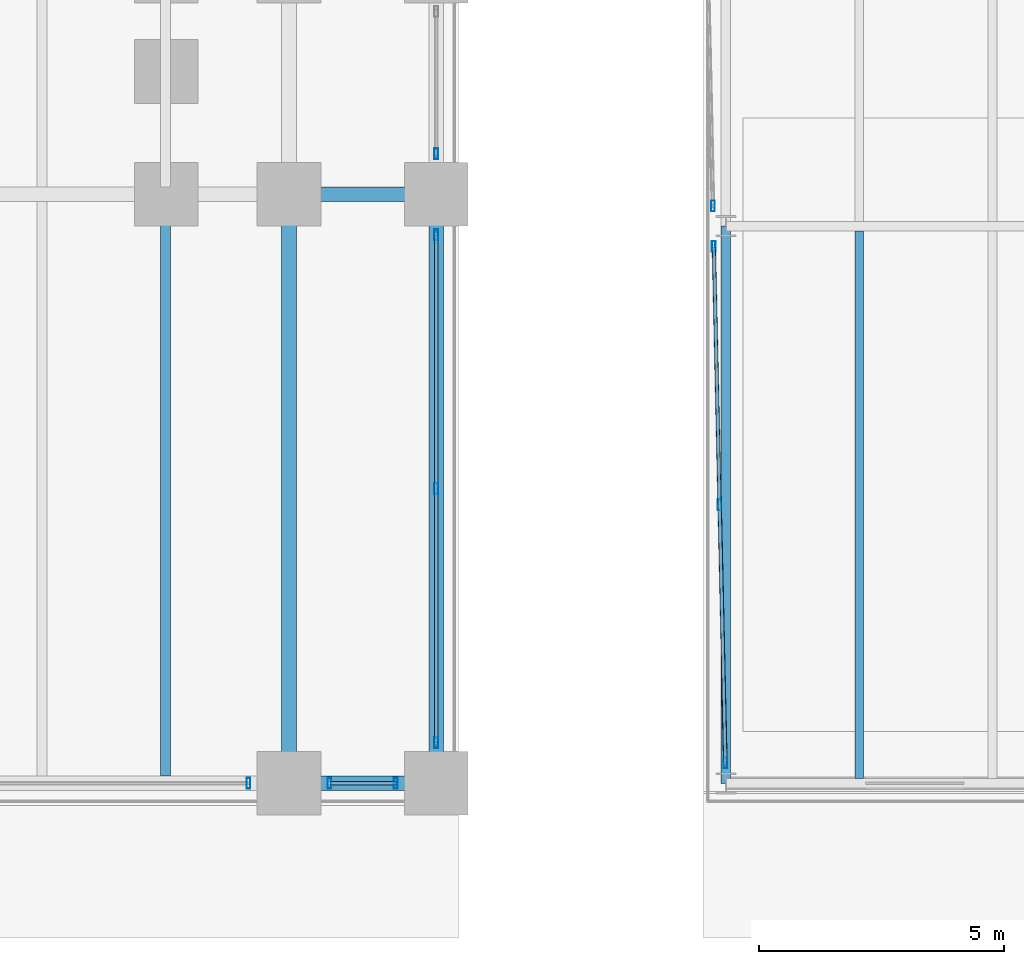
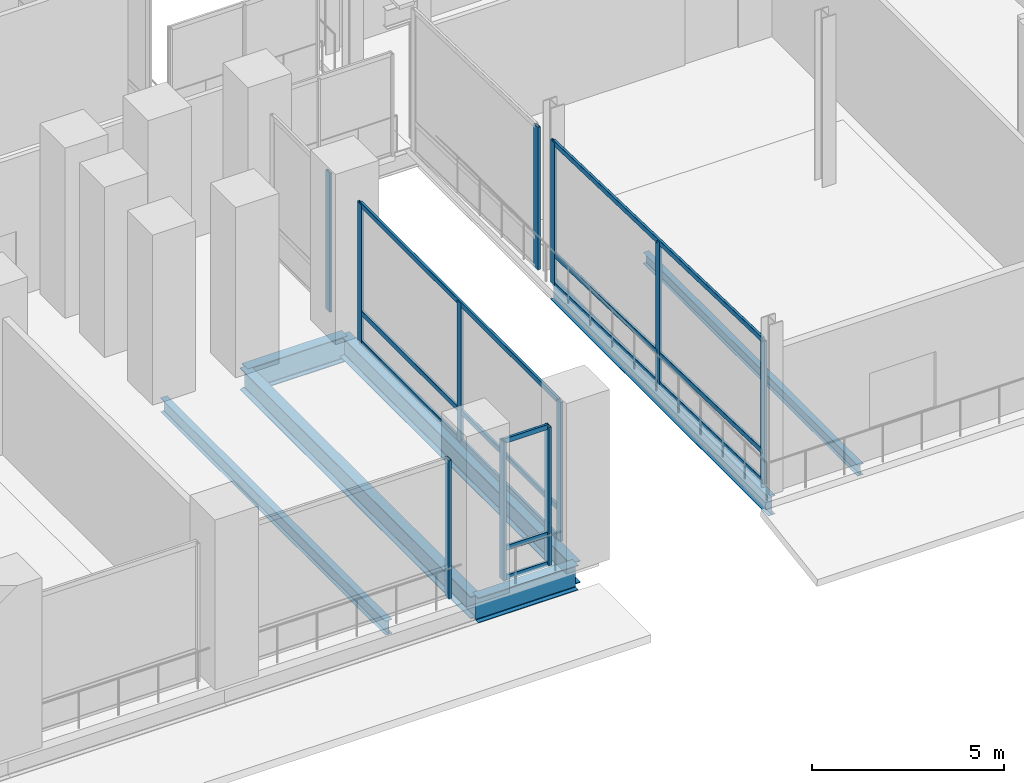
# One storey, part 10 of 32: 20 members, 7 beams, 6 elements without a shape of their own.
"""IFC4 building model written with IfcOpenShell, lengths in metres."""

import ifcopenshell
import ifcopenshell.guid

model = None  # the IFC model being written
_history = None  # IfcOwnerHistory: only IFC2X3 demands one
_inside = {}  # id of a spatial element -> (the spatial element, [elements in it])
_under = {}  # id of a project, library or spatial element -> (it, [spatial elements below it])
_declared = {}  # id of a project -> (the project, [libraries it declares])
_typed = {}  # id of a type object -> (the type object, [elements of that type])
_made_of = {}  # id of a material, layer set ... -> (it, [elements and type objects made of it])


def new_model(schema):
    """Start an empty IFC model of exactly this schema.

    Asked for "IFC4X3", IfcOpenShell would pick the latest addendum, in which some entities
    have other attributes; the version numbers below select the first issue.
    IFC2X3 requires an IfcOwnerHistory on every rooted entity: one is made here for all.
    """
    global model, _history
    if schema == "IFC4X3":
        model = ifcopenshell.file(schema_version=(4, 3, 0, 0))
    else:
        model = ifcopenshell.file(schema=schema)
    _inside.clear()
    _under.clear()
    _declared.clear()
    _typed.clear()
    _made_of.clear()
    _history = None
    if model.schema == "IFC2X3":
        org = make("IfcOrganization", Name="unknown")
        user = make(
            "IfcPersonAndOrganization",
            ThePerson=make("IfcPerson", FamilyName="unknown"),
            TheOrganization=org,
        )
        app = make(
            "IfcApplication",
            ApplicationDeveloper=org,
            Version="unknown",
            ApplicationFullName="unknown",
            ApplicationIdentifier="unknown",
        )
        _history = make(
            "IfcOwnerHistory",
            OwningUser=user,
            OwningApplication=app,
            ChangeAction="ADDED",
            CreationDate=0,
        )
    return model


def make(cls, **values):
    """One entity of the class cls with the attributes given. An attribute that is None is left unset."""
    return model.create_entity(
        cls, **{name: value for name, value in values.items() if value is not None}
    )


def rooted(cls, **values):
    """An entity with a GlobalId (a new one), such as an element, a storey or a relation."""
    return make(cls, GlobalId=ifcopenshell.guid.new(), OwnerHistory=_history, **values)


def si_unit(unit_type, name, prefix=None):
    """IfcSIUnit, for example si_unit("LENGTHUNIT", "METRE", prefix="MILLI")."""
    return make("IfcSIUnit", UnitType=unit_type, Prefix=prefix, Name=name)


def assignment(units):
    """IfcUnitAssignment: the units of a project."""
    return None if units is None else make("IfcUnitAssignment", Units=units)


def point(xyz):
    """IfcCartesianPoint."""
    return None if xyz is None else make("IfcCartesianPoint", Coordinates=xyz)


def direction(xyz):
    """IfcDirection."""
    return None if xyz is None else make("IfcDirection", DirectionRatios=xyz)


def frame(location, z_axis=None, x_axis=None):
    """IfcAxis2Placement3D, a coordinate frame: its origin and axes. An axis left out is left unset."""
    return make(
        "IfcAxis2Placement3D",
        Location=point(location),
        Axis=direction(z_axis),
        RefDirection=direction(x_axis),
    )


def frame_2d(location, x_axis=None):
    """IfcAxis2Placement2D, a coordinate frame in the plane: its origin and x axis."""
    return make(
        "IfcAxis2Placement2D", Location=point(location), RefDirection=direction(x_axis)
    )


def origin():
    """The frame at (0, 0, 0) with its axes left unset."""
    return frame((0.0, 0.0, 0.0))


def origin_2d():
    """The frame at (0, 0) in the plane with its x axis left unset."""
    return frame_2d((0.0, 0.0))


def place(relative_to, where):
    """IfcLocalPlacement: puts the frame where relative to a parent placement (None: the world)."""
    return make(
        "IfcLocalPlacement", PlacementRelTo=relative_to, RelativePlacement=where
    )


def context(
    kind, dimensions, precision=None, world=None, true_north=None, identifier=None
):
    """IfcGeometricRepresentationContext, for example the 3D "Model" context."""
    return make(
        "IfcGeometricRepresentationContext",
        ContextIdentifier=identifier,
        ContextType=kind,
        CoordinateSpaceDimension=dimensions,
        Precision=precision,
        WorldCoordinateSystem=world,
        TrueNorth=true_north,
    )


def subcontext(parent, identifier, kind, view, scale=None):
    """IfcGeometricRepresentationSubContext, for example "Body" below "Model"."""
    return make(
        "IfcGeometricRepresentationSubContext",
        ContextIdentifier=identifier,
        ContextType=kind,
        ParentContext=parent,
        TargetScale=scale,
        TargetView=view,
    )


def project(units=None, contexts=None):
    """IfcProject with its units and contexts."""
    return rooted(
        "IfcProject",
        Name="project",
        RepresentationContexts=contexts,
        UnitsInContext=assignment(units),
    )


def spatial(cls, under=None, at=None, **own):
    """A site, building, storey or space (cls), placed at a placement, below another one or the project."""
    s = rooted(cls, ObjectPlacement=at, **own)
    if under is not None:
        _under.setdefault(under.id(), (under, []))[1].append(s)
    return s


def profile(cls, at=None, kind="AREA", **sizes):
    """A parametric profile (cls). Its sizes go by their IFC names, for example OverallWidth=200.0."""
    return make(cls, ProfileType=kind, Position=at, **sizes)


def hollow_rectangle(**sizes):
    """IfcRectangleHollowProfileDef."""
    return profile("IfcRectangleHollowProfileDef", **sizes)


def i_section(**sizes):
    """IfcIShapeProfileDef."""
    return profile("IfcIShapeProfileDef", **sizes)


def extrude(swept, where, along, depth):
    """IfcExtrudedAreaSolid: the profile swept, set in the frame where, extruded along a direction by depth."""
    return make(
        "IfcExtrudedAreaSolid",
        SweptArea=swept,
        Position=where,
        ExtrudedDirection=direction(along),
        Depth=depth,
    )


def shape(context_of_items, identifier, shape_type, items):
    """IfcShapeRepresentation: the items that make up one representation, for example the "Body"."""
    return make(
        "IfcShapeRepresentation",
        ContextOfItems=context_of_items,
        RepresentationIdentifier=identifier,
        RepresentationType=shape_type,
        Items=items,
    )


def material(Name=None, Category=None):
    """IfcMaterial."""
    return make("IfcMaterial", Name=Name, Category=Category)


def material_profile(
    of_material, cross_section, Name=None, Category=None, Priority=None
):
    """IfcMaterialProfile: a cross section and its material."""
    return make(
        "IfcMaterialProfile",
        Name=Name,
        Material=of_material,
        Profile=cross_section,
        Priority=Priority,
        Category=Category,
    )


def profile_set(profiles, Name=None, composite=None):
    """IfcMaterialProfileSet."""
    return make(
        "IfcMaterialProfileSet",
        Name=Name,
        MaterialProfiles=profiles,
        CompositeProfile=composite,
    )


def made_of(thing, what):
    """Note that an element or type object is made of a material, layer set ...; save() writes the relation."""
    if what is not None:
        _made_of.setdefault(what.id(), (what, []))[1].append(thing)
    return thing


def type_object(cls, material=None, **own):
    """A type object (cls), such as IfcWallType, which elements share."""
    return made_of(rooted(cls, **own), material)


def element(
    cls,
    number,
    at=None,
    inside=None,
    cuts=None,
    type_object=None,
    material=None,
    context=None,
    identifier="Body",
    shape_type=None,
    held_by="IfcProductDefinitionShape",
    body=None,
    shapes=None,
    **own,
):
    """One element of the class cls, such as IfcWall. Its Tag is "e" and its number.

    at: its placement. inside: the storey or other place that contains it. cuts: it is an
    opening in that element (IfcRelVoidsElement). A single representation is given by context,
    identifier, shape_type and body (its items); several are given by shapes. held_by: the class
    of the entity that holds the representations. save() writes the other relations.
    """
    e = rooted(cls, Tag="e%d" % number, ObjectPlacement=at, **own)
    if body is not None:
        shapes = [shape(context, identifier, shape_type, body)]
    if shapes is not None:
        e.Representation = make(held_by, Representations=shapes)
    if inside is not None:
        _inside.setdefault(inside.id(), (inside, []))[1].append(e)
    if cuts is not None:
        rooted(
            "IfcRelVoidsElement", RelatingBuildingElement=cuts, RelatedOpeningElement=e
        )
    if type_object is not None:
        _typed.setdefault(type_object.id(), (type_object, []))[1].append(e)
    return made_of(e, material)


def aggregate(whole, parts):
    """IfcRelAggregates: a whole, such as a stair, and the parts it consists of."""
    return rooted("IfcRelAggregates", RelatingObject=whole, RelatedObjects=parts)


def save(model, path):
    """Write the relations noted so far, then the file.

    IfcRelAggregates (storeys below a building ...), IfcRelContainedInSpatialStructure (elements
    in a storey), IfcRelDefinesByType, IfcRelAssociatesMaterial and IfcRelDeclares: one each for
    every whole, place, type object, material and project.
    """
    for whole, parts in _under.values():
        aggregate(whole, parts)
    for where, things in _inside.values():
        rooted(
            "IfcRelContainedInSpatialStructure",
            RelatedElements=things,
            RelatingStructure=where,
        )
    for kind, things in _typed.values():
        rooted("IfcRelDefinesByType", RelatedObjects=things, RelatingType=kind)
    for what, things in _made_of.values():
        rooted("IfcRelAssociatesMaterial", RelatedObjects=things, RelatingMaterial=what)
    for by, libraries in _declared.values():
        rooted("IfcRelDeclares", RelatingContext=by, RelatedDefinitions=libraries)
    model.write(path)


model = new_model("IFC4")

# Units and contexts
model_context = context("Model", 3, precision=1e-05, world=origin(), true_north=direction((0.0, 1.0)))
body_context = subcontext(model_context, "Body", "Model", "MODEL_VIEW")
ifc_project = project(units=[si_unit("LENGTHUNIT", "METRE"), si_unit("AREAUNIT", "SQUARE_METRE"), si_unit("VOLUMEUNIT", "CUBIC_METRE"), si_unit("PLANEANGLEUNIT", "RADIAN"), si_unit("MASSUNIT", "GRAM", prefix="KILO")], contexts=[model_context])

# Site, building, storey
site_placement = place(None, origin())
site = spatial("IfcSite", under=ifc_project, at=site_placement, CompositionType="ELEMENT")
building_placement = place(site_placement, origin())
building = spatial("IfcBuilding", under=site, at=building_placement, Name="Noeulbin Bourse Tower", CompositionType="ELEMENT")
storey_placement = place(building_placement, frame((0.0, 0.0, 5.800048828125)))
storey = spatial("IfcBuildingStorey", under=building, at=storey_placement, Name="L02", CompositionType="ELEMENT", Elevation=5.800048828125)

# Beams
ifc_material_1 = material(Name="Steel S355", Category="steel")
ifc_material_profile_1 = material_profile(ifc_material_1, i_section(OverallWidth=0.199951171875, OverallDepth=0.60009765625, WebThickness=0.010986328125, FlangeThickness=0.01708984375, FilletRadius=0.02197265625, at=origin_2d()), Name="H-600x200x11x17", Category="LoadBearing")
ifc_profile_set_1 = profile_set([ifc_material_profile_1], Name="Steel S355")
beam_type_1 = type_object("IfcBeamType", Name="BM-GRD-600", PredefinedType="USERDEFINED", material=ifc_profile_set_1)
beam_1_placement = place(storey_placement, frame((60.449951171875, 3.449951171875, -0.52001953125), z_axis=(0.0, 1.0, 0.0), x_axis=(-1.0, 0.0, 0.0)))
element("IfcBeam", 1, at=beam_1_placement, inside=storey, type_object=beam_type_1, Name="Market Hall Girder NS L02-11", ObjectType="GIRDER", PredefinedType="USERDEFINED", context=body_context, shape_type="SweptSolid", body=[
    extrude(i_section(OverallWidth=0.199951171875, OverallDepth=0.60009765625, WebThickness=0.010986328125, FlangeThickness=0.01708984375, FilletRadius=0.02197265625, at=origin_2d()), origin(), (0.0, 0.0, 1.0), 11.35009765625),
])
ifc_material_profile_2 = material_profile(ifc_material_1, i_section(OverallWidth=0.300048828125, OverallDepth=0.699951171875, WebThickness=0.012939453125, FlangeThickness=0.02392578125, FilletRadius=0.02392578125, at=origin_2d()), Name="H-700x300x13x24", Category="LoadBearing")
ifc_profile_set_2 = profile_set([ifc_material_profile_2], Name="Steel S355")
beam_type_2 = type_object("IfcBeamType", Name="BM-GRD-700", PredefinedType="USERDEFINED", material=ifc_profile_set_2)
for number, where, z_axis, x_axis, name in (
    (2, (51.550048828125, 3.449951171875, -0.60009765625), (0.0, 1.0, 0.0), (-1.0, 0.0, 0.0), "Podium Primary Girder NS L02-096"),
    (3, (54.550048828125, 3.449951171875, -0.60009765625), (0.0, 1.0, 0.0), (-1.0, 0.0, 0.0), "Podium Primary Girder NS L02-102"),
):
    element("IfcBeam", number, at=place(storey_placement, frame(where, z_axis=z_axis, x_axis=x_axis)), inside=storey, type_object=beam_type_2, Name=name, ObjectType="GIRDER", PredefinedType="USERDEFINED", context=body_context, shape_type="SweptSolid", body=[
        extrude(i_section(OverallWidth=0.300048828125, OverallDepth=0.699951171875, WebThickness=0.012939453125, FlangeThickness=0.02392578125, FilletRadius=0.02392578125, at=origin_2d()), origin(), (0.0, 0.0, 1.0), 12.0),
    ])
ifc_material_profile_3 = material_profile(ifc_material_1, i_section(OverallWidth=0.300048828125, OverallDepth=0.800048828125, WebThickness=0.013916015625, FlangeThickness=0.02587890625, FilletRadius=0.02587890625, at=origin_2d()), Name="H-800x300x14x26", Category="LoadBearing")
ifc_profile_set_3 = profile_set([ifc_material_profile_3], Name="Steel S355")
beam_type_3 = type_object("IfcBeamType", Name="BM-GRD-800", PredefinedType="USERDEFINED", material=ifc_profile_set_3)
for number, where, z_axis, x_axis, name in (
    (4, (51.550048828125, 3.449951171875, -0.650146484375), (1.0, 0.0, 0.0), (0.0, 1.0, 0.0), "Podium Primary Girder EW L02-008"),
    (5, (51.550048828125, 15.449951171875, -0.650146484375), (1.0, 0.0, 0.0), (0.0, 1.0, 0.0), "Podium Primary Girder EW L02-016"),
):
    element("IfcBeam", number, at=place(storey_placement, frame(where, z_axis=z_axis, x_axis=x_axis)), inside=storey, type_object=beam_type_3, Name=name, ObjectType="GIRDER", PredefinedType="USERDEFINED", context=body_context, shape_type="SweptSolid", body=[
        extrude(i_section(OverallWidth=0.300048828125, OverallDepth=0.800048828125, WebThickness=0.013916015625, FlangeThickness=0.02587890625, FilletRadius=0.02587890625, at=origin_2d()), origin(), (0.0, 0.0, 1.0), 3.0),
    ])
ifc_material_profile_4 = material_profile(ifc_material_1, i_section(OverallWidth=0.175048828125, OverallDepth=0.35009765625, WebThickness=0.007080078125, FlangeThickness=0.010986328125, FilletRadius=0.013916015625, at=origin_2d()), Name="H-350x175x7x11", Category="LoadBearing")
ifc_profile_set_4 = profile_set([ifc_material_profile_4], Name="Steel S355")
beam_type_4 = type_object("IfcBeamType", Name="BM-JST-350", PredefinedType="JOIST", material=ifc_profile_set_4)
beam_2_placement = place(storey_placement, frame((63.166748046875, 3.550048828125, -0.39501953125), z_axis=(0.0, 1.0, 0.0), x_axis=(-1.0, 0.0, 0.0)))
element("IfcBeam", 6, at=beam_2_placement, inside=storey, type_object=beam_type_4, Name="Market Hall Secondary Joist L02-01", PredefinedType="JOIST", context=body_context, shape_type="SweptSolid", body=[
    extrude(i_section(OverallWidth=0.175048828125, OverallDepth=0.35009765625, WebThickness=0.007080078125, FlangeThickness=0.010986328125, FilletRadius=0.013916015625, at=origin_2d()), origin(), (0.0, 0.0, 1.0), 11.14990234375),
])
ifc_material_profile_5 = material_profile(ifc_material_1, i_section(OverallWidth=0.199951171875, OverallDepth=0.449951171875, WebThickness=0.009033203125, FlangeThickness=0.013916015625, FilletRadius=0.01806640625, at=origin_2d()), Name="H-450x200x9x14", Category="LoadBearing")
ifc_profile_set_5 = profile_set([ifc_material_profile_5], Name="Steel S355")
beam_type_5 = type_object("IfcBeamType", Name="BM-SEC-450", PredefinedType="BEAM", material=ifc_profile_set_5)
beam_3_placement = place(storey_placement, frame((49.033203125, 3.60009765625, -0.47509765625), z_axis=(0.0, 1.0, 0.0), x_axis=(-1.0, 0.0, 0.0)))
element("IfcBeam", 7, at=beam_3_placement, inside=storey, type_object=beam_type_5, Name="Podium Secondary Beam L02-075", PredefinedType="BEAM", context=body_context, shape_type="SweptSolid", body=[
    extrude(i_section(OverallWidth=0.199951171875, OverallDepth=0.449951171875, WebThickness=0.009033203125, FlangeThickness=0.013916015625, FilletRadius=0.01806640625, at=origin_2d()), origin(), (0.0, 0.0, 1.0), 11.699951171875),
])

# Curtain wall, member
ifc_material_2 = material(Name="Laminated Clear Low-E Glass", Category="glass")
curtain_wall_type = type_object("IfcCurtainWallType", Name="CW-SYS-1", PredefinedType="NOTDEFINED", material=ifc_material_2)
curtain_wall_1_placement = place(storey_placement, origin())
curtain_wall_1 = element("IfcCurtainWall", 8, at=curtain_wall_1_placement, inside=storey, type_object=curtain_wall_type, Name="Unitised Curtain Wall CW-L02-POD-S-S6", PredefinedType="NOTDEFINED")
ifc_material_3 = material(Name="Anodised Aluminium 6063-T6", Category="aluminium")
ifc_material_profile_6 = material_profile(ifc_material_3, hollow_rectangle(XDim=0.074951171875, YDim=0.219970703125, WallThickness=0.0048828125, InnerFilletRadius=0.00244140625, OuterFilletRadius=0.0048828125, at=origin_2d()), Name="ALU-MULL-75x220x5", Category="LoadBearing")
ifc_profile_set_6 = profile_set([ifc_material_profile_6], Name="Anodised Aluminium 6063-T6")
member_type_1 = type_object("IfcMemberType", Name="CW-SYS-1-MUL", PredefinedType="MULLION", material=ifc_profile_set_6)
member_1_placement = place(storey_placement, frame((50.72509765625, 3.449951171875, -0.02001953125), z_axis=(0.0, 0.0, 1.0), x_axis=(1.0, 0.0, 0.0)))
member_1 = element("IfcMember", 9, at=member_1_placement, type_object=member_type_1, Name="Curtain Wall Mullion CW-L02-POD-S-S6-M01", PredefinedType="MULLION", context=body_context, shape_type="SweptSolid", body=[
    extrude(hollow_rectangle(XDim=0.074951171875, YDim=0.219970703125, WallThickness=0.0048828125, InnerFilletRadius=0.00244140625, OuterFilletRadius=0.0048828125, at=origin_2d()), origin(), (0.0, 0.0, 1.0), 4.409912109375),
])
aggregate(curtain_wall_1, [member_1])

# Curtain wall, members
curtain_wall_2_placement = place(storey_placement, origin())
curtain_wall_2 = element("IfcCurtainWall", 10, at=curtain_wall_2_placement, inside=storey, type_object=curtain_wall_type, Name="Unitised Curtain Wall CW-L02-POD-S-S7", PredefinedType="NOTDEFINED")
member_2_placement = place(storey_placement, frame((52.375, 3.449951171875, -0.02001953125), z_axis=(0.0, 0.0, 1.0), x_axis=(1.0, 0.0, 0.0)))
member_2 = element("IfcMember", 11, at=member_2_placement, type_object=member_type_1, Name="Curtain Wall Mullion CW-L02-POD-S-S7-M00", PredefinedType="MULLION", context=body_context, shape_type="SweptSolid", body=[
    extrude(hollow_rectangle(XDim=0.074951171875, YDim=0.219970703125, WallThickness=0.0048828125, InnerFilletRadius=0.00244140625, OuterFilletRadius=0.0048828125, at=origin_2d()), origin(), (0.0, 0.0, 1.0), 4.409912109375),
])
member_3_placement = place(storey_placement, frame((53.72509765625, 3.449951171875, -0.02001953125), z_axis=(0.0, 0.0, 1.0), x_axis=(1.0, 0.0, 0.0)))
member_3 = element("IfcMember", 12, at=member_3_placement, type_object=member_type_1, Name="Curtain Wall Mullion CW-L02-POD-S-S7-M01", PredefinedType="MULLION", context=body_context, shape_type="SweptSolid", body=[
    extrude(hollow_rectangle(XDim=0.074951171875, YDim=0.219970703125, WallThickness=0.0048828125, InnerFilletRadius=0.00244140625, OuterFilletRadius=0.0048828125, at=origin_2d()), origin(), (0.0, 0.0, 1.0), 4.409912109375),
])

curtain_wall_3_placement = place(storey_placement, origin())
curtain_wall_3 = element("IfcCurtainWall", 13, at=curtain_wall_3_placement, inside=storey, type_object=curtain_wall_type, Name="Unitised Curtain Wall CW-L02-POD-E1-S1", PredefinedType="NOTDEFINED")
member_4_placement = place(storey_placement, frame((54.550048828125, 4.27490234375, -0.02001953125), z_axis=(0.0, 0.0, 1.0), x_axis=(1.0, 0.0, 0.0)))
member_4 = element("IfcMember", 14, at=member_4_placement, type_object=member_type_1, Name="Curtain Wall Mullion CW-L02-POD-E1-S1-M00", PredefinedType="MULLION", context=body_context, shape_type="SweptSolid", body=[
    extrude(hollow_rectangle(XDim=0.074951171875, YDim=0.219970703125, WallThickness=0.0048828125, InnerFilletRadius=0.00244140625, OuterFilletRadius=0.0048828125, at=origin_2d()), origin(), (0.0, 0.0, 1.0), 4.409912109375),
])
member_5_placement = place(storey_placement, frame((54.550048828125, 9.449951171875, -0.02001953125), z_axis=(0.0, 0.0, 1.0), x_axis=(1.0, 0.0, 0.0)))
member_5 = element("IfcMember", 15, at=member_5_placement, type_object=member_type_1, Name="Curtain Wall Mullion CW-L02-POD-E1-S1-M01", PredefinedType="MULLION", context=body_context, shape_type="SweptSolid", body=[
    extrude(hollow_rectangle(XDim=0.074951171875, YDim=0.219970703125, WallThickness=0.0048828125, InnerFilletRadius=0.00244140625, OuterFilletRadius=0.0048828125, at=origin_2d()), origin(), (0.0, 0.0, 1.0), 4.409912109375),
])
member_6_placement = place(storey_placement, frame((54.550048828125, 14.625, -0.02001953125), z_axis=(0.0, 0.0, 1.0), x_axis=(1.0, 0.0, 0.0)))
member_6 = element("IfcMember", 16, at=member_6_placement, type_object=member_type_1, Name="Curtain Wall Mullion CW-L02-POD-E1-S1-M02", PredefinedType="MULLION", context=body_context, shape_type="SweptSolid", body=[
    extrude(hollow_rectangle(XDim=0.074951171875, YDim=0.219970703125, WallThickness=0.0048828125, InnerFilletRadius=0.00244140625, OuterFilletRadius=0.0048828125, at=origin_2d()), origin(), (0.0, 0.0, 1.0), 4.409912109375),
])

# Curtain wall, member
curtain_wall_4_placement = place(storey_placement, origin())
curtain_wall_4 = element("IfcCurtainWall", 17, at=curtain_wall_4_placement, inside=storey, type_object=curtain_wall_type, Name="Unitised Curtain Wall CW-L02-POD-E1-S2", PredefinedType="NOTDEFINED")
member_7_placement = place(storey_placement, frame((54.550048828125, 16.27490234375, -0.02001953125), z_axis=(0.0, 0.0, 1.0), x_axis=(1.0, 0.0, 0.0)))
member_7 = element("IfcMember", 18, at=member_7_placement, type_object=member_type_1, Name="Curtain Wall Mullion CW-L02-POD-E1-S2-M00", PredefinedType="MULLION", context=body_context, shape_type="SweptSolid", body=[
    extrude(hollow_rectangle(XDim=0.074951171875, YDim=0.219970703125, WallThickness=0.0048828125, InnerFilletRadius=0.00244140625, OuterFilletRadius=0.0048828125, at=origin_2d()), origin(), (0.0, 0.0, 1.0), 4.409912109375),
])
aggregate(curtain_wall_4, [member_7])

# Curtain wall, members
curtain_wall_5_placement = place(storey_placement, origin())
curtain_wall_5 = element("IfcCurtainWall", 19, at=curtain_wall_5_placement, inside=storey, type_object=curtain_wall_type, Name="Unitised Curtain Wall CW-L02-MKT-W1-S1", PredefinedType="NOTDEFINED")
member_8_placement = place(storey_placement, frame((60.44091796875, 3.864013671875, -0.02001953125), z_axis=(0.0, 0.0, 1.0), x_axis=(1.0, 0.0, 0.0)))
member_8 = element("IfcMember", 20, at=member_8_placement, type_object=member_type_1, Name="Curtain Wall Mullion CW-L02-MKT-W1-S1-M00", PredefinedType="MULLION", context=body_context, shape_type="SweptSolid", body=[
    extrude(hollow_rectangle(XDim=0.074951171875, YDim=0.219970703125, WallThickness=0.0048828125, InnerFilletRadius=0.00244140625, OuterFilletRadius=0.0048828125, at=origin_2d()), origin(), (0.0, 0.0, 1.0), 4.5400390625),
])
member_9_placement = place(storey_placement, frame((60.323486328125, 9.125, -0.02001953125), z_axis=(0.0, 0.0, 1.0), x_axis=(1.0, 0.0, 0.0)))
member_9 = element("IfcMember", 21, at=member_9_placement, type_object=member_type_1, Name="Curtain Wall Mullion CW-L02-MKT-W1-S1-M01", PredefinedType="MULLION", context=body_context, shape_type="SweptSolid", body=[
    extrude(hollow_rectangle(XDim=0.074951171875, YDim=0.219970703125, WallThickness=0.0048828125, InnerFilletRadius=0.00244140625, OuterFilletRadius=0.0048828125, at=origin_2d()), origin(), (0.0, 0.0, 1.0), 4.5400390625),
])
member_10_placement = place(storey_placement, frame((60.206298828125, 14.385986328125, -0.02001953125), z_axis=(0.0, 0.0, 1.0), x_axis=(1.0, 0.0, 0.0)))
member_10 = element("IfcMember", 22, at=member_10_placement, type_object=member_type_1, Name="Curtain Wall Mullion CW-L02-MKT-W1-S1-M02", PredefinedType="MULLION", context=body_context, shape_type="SweptSolid", body=[
    extrude(hollow_rectangle(XDim=0.074951171875, YDim=0.219970703125, WallThickness=0.0048828125, InnerFilletRadius=0.00244140625, OuterFilletRadius=0.0048828125, at=origin_2d()), origin(), (0.0, 0.0, 1.0), 4.5400390625),
])

# Curtain wall, member
curtain_wall_6_placement = place(storey_placement, origin())
curtain_wall_6 = element("IfcCurtainWall", 23, at=curtain_wall_6_placement, inside=storey, type_object=curtain_wall_type, Name="Unitised Curtain Wall CW-L02-MKT-W1-S2", PredefinedType="NOTDEFINED")
member_11_placement = place(storey_placement, frame((60.187744140625, 15.214111328125, -0.02001953125), z_axis=(0.0, 0.0, 1.0), x_axis=(1.0, 0.0, 0.0)))
member_11 = element("IfcMember", 24, at=member_11_placement, type_object=member_type_1, Name="Curtain Wall Mullion CW-L02-MKT-W1-S2-M00", PredefinedType="MULLION", context=body_context, shape_type="SweptSolid", body=[
    extrude(hollow_rectangle(XDim=0.074951171875, YDim=0.219970703125, WallThickness=0.0048828125, InnerFilletRadius=0.00244140625, OuterFilletRadius=0.0048828125, at=origin_2d()), origin(), (0.0, 0.0, 1.0), 4.5400390625),
])
aggregate(curtain_wall_6, [member_11])

# Member
ifc_material_profile_7 = material_profile(ifc_material_3, hollow_rectangle(XDim=0.074951171875, YDim=0.159912109375, WallThickness=0.0048828125, InnerFilletRadius=0.00244140625, OuterFilletRadius=0.0048828125, at=origin_2d()), Name="ALU-TRAN-75x160x5", Category="LoadBearing")
ifc_profile_set_7 = profile_set([ifc_material_profile_7], Name="Anodised Aluminium 6063-T6")
member_type_2 = type_object("IfcMemberType", Name="CW-SYS-1-TRN", PredefinedType="USERDEFINED", material=ifc_profile_set_7)
member_12_placement = place(storey_placement, frame((52.385009765625, 3.449951171875, 0.010009765625), z_axis=(1.0, 0.0, 0.0), x_axis=(0.0, 1.0, 0.0)))
member_12 = element("IfcMember", 25, at=member_12_placement, type_object=member_type_2, Name="Curtain Wall Transom CW-L02-POD-S-S7-T00", ObjectType="TRANSOM", PredefinedType="USERDEFINED", context=body_context, shape_type="SweptSolid", body=[
    extrude(hollow_rectangle(XDim=0.074951171875, YDim=0.159912109375, WallThickness=0.0048828125, InnerFilletRadius=0.00244140625, OuterFilletRadius=0.0048828125, at=origin_2d()), origin(), (0.0, 0.0, 1.0), 1.330078125),
])

member_13_placement = place(storey_placement, frame((52.385009765625, 3.449951171875, 0.949951171875), z_axis=(1.0, 0.0, 0.0), x_axis=(0.0, 1.0, 0.0)))
member_13 = element("IfcMember", 26, at=member_13_placement, type_object=member_type_2, Name="Curtain Wall Transom CW-L02-POD-S-S7-T01", ObjectType="TRANSOM", PredefinedType="USERDEFINED", context=body_context, shape_type="SweptSolid", body=[
    extrude(hollow_rectangle(XDim=0.074951171875, YDim=0.159912109375, WallThickness=0.0048828125, InnerFilletRadius=0.00244140625, OuterFilletRadius=0.0048828125, at=origin_2d()), origin(), (0.0, 0.0, 1.0), 1.330078125),
])

member_14_placement = place(storey_placement, frame((52.385009765625, 3.449951171875, 4.35986328125), z_axis=(1.0, 0.0, 0.0), x_axis=(0.0, 1.0, 0.0)))
member_14 = element("IfcMember", 27, at=member_14_placement, type_object=member_type_2, Name="Curtain Wall Transom CW-L02-POD-S-S7-T02", ObjectType="TRANSOM", PredefinedType="USERDEFINED", context=body_context, shape_type="SweptSolid", body=[
    extrude(hollow_rectangle(XDim=0.074951171875, YDim=0.159912109375, WallThickness=0.0048828125, InnerFilletRadius=0.00244140625, OuterFilletRadius=0.0048828125, at=origin_2d()), origin(), (0.0, 0.0, 1.0), 1.330078125),
])

aggregate(curtain_wall_2, [member_2, member_3, member_12, member_13, member_14])

member_15_placement = place(storey_placement, frame((54.550048828125, 4.284912109375, 0.010009765625), z_axis=(0.0, 1.0, 0.0), x_axis=(-1.0, 0.0, 0.0)))
member_15 = element("IfcMember", 28, at=member_15_placement, type_object=member_type_2, Name="Curtain Wall Transom CW-L02-POD-E1-S1-T00", ObjectType="TRANSOM", PredefinedType="USERDEFINED", context=body_context, shape_type="SweptSolid", body=[
    extrude(hollow_rectangle(XDim=0.074951171875, YDim=0.159912109375, WallThickness=0.0048828125, InnerFilletRadius=0.00244140625, OuterFilletRadius=0.0048828125, at=origin_2d()), origin(), (0.0, 0.0, 1.0), 10.330078125),
])

member_16_placement = place(storey_placement, frame((54.550048828125, 4.284912109375, 0.949951171875), z_axis=(0.0, 1.0, 0.0), x_axis=(-1.0, 0.0, 0.0)))
member_16 = element("IfcMember", 29, at=member_16_placement, type_object=member_type_2, Name="Curtain Wall Transom CW-L02-POD-E1-S1-T01", ObjectType="TRANSOM", PredefinedType="USERDEFINED", context=body_context, shape_type="SweptSolid", body=[
    extrude(hollow_rectangle(XDim=0.074951171875, YDim=0.159912109375, WallThickness=0.0048828125, InnerFilletRadius=0.00244140625, OuterFilletRadius=0.0048828125, at=origin_2d()), origin(), (0.0, 0.0, 1.0), 10.330078125),
])

member_17_placement = place(storey_placement, frame((54.550048828125, 4.284912109375, 4.35986328125), z_axis=(0.0, 1.0, 0.0), x_axis=(-1.0, 0.0, 0.0)))
member_17 = element("IfcMember", 30, at=member_17_placement, type_object=member_type_2, Name="Curtain Wall Transom CW-L02-POD-E1-S1-T02", ObjectType="TRANSOM", PredefinedType="USERDEFINED", context=body_context, shape_type="SweptSolid", body=[
    extrude(hollow_rectangle(XDim=0.074951171875, YDim=0.159912109375, WallThickness=0.0048828125, InnerFilletRadius=0.00244140625, OuterFilletRadius=0.0048828125, at=origin_2d()), origin(), (0.0, 0.0, 1.0), 10.330078125),
])

aggregate(curtain_wall_3, [member_4, member_5, member_6, member_15, member_16, member_17])

member_18_placement = place(storey_placement, frame((60.440673828125, 3.8740234375, 0.010009765625), z_axis=(-0.022288491861, 0.999751580709, 0.0), x_axis=(-0.999751580709, -0.022288491861, 0.0)))
member_18 = element("IfcMember", 31, at=member_18_placement, type_object=member_type_2, Name="Curtain Wall Transom CW-L02-MKT-W1-S1-T00", ObjectType="TRANSOM", PredefinedType="USERDEFINED", context=body_context, shape_type="SweptSolid", body=[
    extrude(hollow_rectangle(XDim=0.074951171875, YDim=0.159912109375, WallThickness=0.0048828125, InnerFilletRadius=0.00244140625, OuterFilletRadius=0.0048828125, at=origin_2d()), origin(), (0.0, 0.0, 1.0), 10.504638671875),
])

member_19_placement = place(storey_placement, frame((60.440673828125, 3.8740234375, 0.949951171875), z_axis=(-0.022288491861, 0.999751580709, 0.0), x_axis=(-0.999751580709, -0.022288491861, 0.0)))
member_19 = element("IfcMember", 32, at=member_19_placement, type_object=member_type_2, Name="Curtain Wall Transom CW-L02-MKT-W1-S1-T01", ObjectType="TRANSOM", PredefinedType="USERDEFINED", context=body_context, shape_type="SweptSolid", body=[
    extrude(hollow_rectangle(XDim=0.074951171875, YDim=0.159912109375, WallThickness=0.0048828125, InnerFilletRadius=0.00244140625, OuterFilletRadius=0.0048828125, at=origin_2d()), origin(), (0.0, 0.0, 1.0), 10.504638671875),
])

member_20_placement = place(storey_placement, frame((60.440673828125, 3.8740234375, 4.489990234375), z_axis=(-0.022288491861, 0.999751580709, 0.0), x_axis=(-0.999751580709, -0.022288491861, 0.0)))
member_20 = element("IfcMember", 33, at=member_20_placement, type_object=member_type_2, Name="Curtain Wall Transom CW-L02-MKT-W1-S1-T02", ObjectType="TRANSOM", PredefinedType="USERDEFINED", context=body_context, shape_type="SweptSolid", body=[
    extrude(hollow_rectangle(XDim=0.074951171875, YDim=0.159912109375, WallThickness=0.0048828125, InnerFilletRadius=0.00244140625, OuterFilletRadius=0.0048828125, at=origin_2d()), origin(), (0.0, 0.0, 1.0), 10.504638671875),
])

aggregate(curtain_wall_5, [member_8, member_9, member_10, member_18, member_19, member_20])

save(model, "model.ifc")
